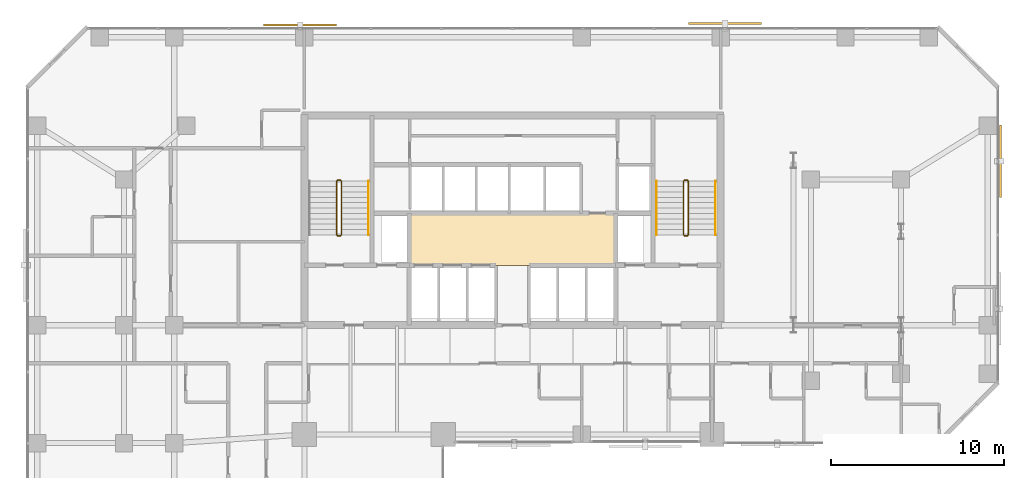
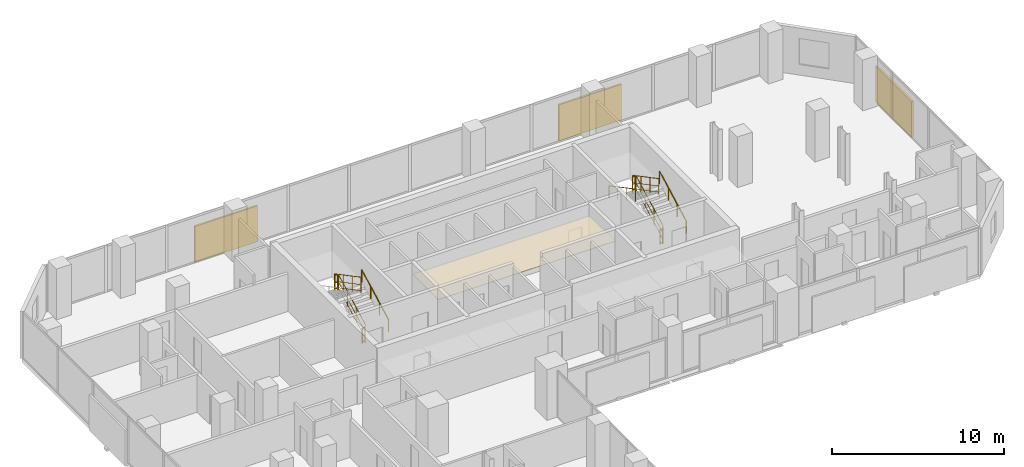
# One storey, part 32 of 32: 11 railings, 3 shading devices, 1 covering.
"""IFC4 building model written with IfcOpenShell, lengths in metres."""

from ifc_helpers import new_model, si_unit, direction, frame, origin, origin_2d, place, context, subcontext, project, spatial, polyline, rectangle, circle, outline, extrude, material, layer, layer_set, type_object, element, save


model = new_model("IFC4")

# Units and contexts
model_context = context("Model", 3, precision=1e-05, world=origin(), true_north=direction((0.0, 1.0)))
body_context = subcontext(model_context, "Body", "Model", "MODEL_VIEW")
ifc_project = project(units=[si_unit("LENGTHUNIT", "METRE"), si_unit("AREAUNIT", "SQUARE_METRE"), si_unit("VOLUMEUNIT", "CUBIC_METRE"), si_unit("PLANEANGLEUNIT", "RADIAN"), si_unit("MASSUNIT", "GRAM", prefix="KILO")], contexts=[model_context])

# Site, building, storey
site_placement = place(None, origin())
site = spatial("IfcSite", under=ifc_project, at=site_placement, CompositionType="ELEMENT")
building_placement = place(site_placement, origin())
building = spatial("IfcBuilding", under=site, at=building_placement, Name="Catumbela Crestline Tower", CompositionType="ELEMENT")
storey_placement = place(building_placement, frame((0.0, 0.0, 29.4)))
storey = spatial("IfcBuildingStorey", under=building, at=storey_placement, Name="L06", CompositionType="ELEMENT", Elevation=29.4)

# Covering
ifc_material_1 = material(Name="Mineral-fibre acoustic ceiling")
ifc_layer = layer(ifc_material_1, 0.03, Name="Mineral-fibre acoustic ceiling")
ifc_layer_set = layer_set([ifc_layer], Name="Mineral-fibre acoustic ceiling")
covering_type = type_object("IfcCoveringType", Name="CC-AC", PredefinedType="CEILING", material=ifc_layer_set)
covering_placement = place(storey_placement, frame((0.0, 0.0, 2.65)))
element("IfcCovering", 1, at=covering_placement, inside=storey, type_object=covering_type, Name="L06 Lift Lobby Acoustic Ceiling", PredefinedType="CEILING", context=body_context, shape_type="SweptSolid", body=[
    extrude(outline(polyline([(22.05, 34.25), (33.95, 34.25), (33.95, 37.25), (22.05, 37.25), (22.05, 34.25)])), origin(), (0.0, 0.0, 1.0), 0.03),
])

# Railings
ifc_material_2 = material(Name="Stainless steel EN 1.4401", Category="steel")
railing_type_1 = type_object("IfcRailingType", Name="RG-1100", PredefinedType="GUARDRAIL", material=ifc_material_2)
railing_1_placement = place(storey_placement, frame((18.14, 36.0, 0.1636)))
element("IfcRailing", 2, at=railing_1_placement, inside=storey, type_object=railing_type_1, Name="L06 ST-01 stair guard 1", PredefinedType="GUARDRAIL", context=body_context, shape_type="SweptSolid", body=[
    extrude(circle(Radius=0.024, at=origin_2d()), frame((0.0, 0.0, 1.076), z_axis=(0.0, 0.884350731049, 0.466823076222), x_axis=(-1.0, 0.0, 0.0)), (0.0, 0.0, 1.0), 3.5054),
    extrude(circle(Radius=0.0156, at=origin_2d()), frame((0.0, 0.0, 0.55), z_axis=(0.0, 0.884350731049, 0.466823076222), x_axis=(-1.0, 0.0, 0.0)), (0.0, 0.0, 1.0), 3.5054),
    extrude(circle(Radius=0.0156, at=origin_2d()), frame((0.0, 0.0, 0.12), z_axis=(0.0, 0.884350731049, 0.466823076222), x_axis=(-1.0, 0.0, 0.0)), (0.0, 0.0, 1.0), 3.5054),
    extrude(circle(Radius=0.021, at=origin_2d()), origin(), (0.0, 0.0, 1.0), 1.052),
    extrude(circle(Radius=0.021, at=origin_2d()), frame((0.0, 1.0333, 0.5455)), (0.0, 0.0, 1.0), 1.052),
    extrude(circle(Radius=0.021, at=origin_2d()), frame((0.0, 2.0667, 1.0909)), (0.0, 0.0, 1.0), 1.052),
    extrude(circle(Radius=0.021, at=origin_2d()), frame((0.0, 3.1, 1.6364)), (0.0, 0.0, 1.0), 1.052),
])
railing_2_placement = place(storey_placement, frame((18.09, 39.15, 1.8)))
element("IfcRailing", 3, at=railing_2_placement, inside=storey, type_object=railing_type_1, Name="L06 ST-01 stair guard 2", PredefinedType="GUARDRAIL", context=body_context, shape_type="SweptSolid", body=[
    extrude(circle(Radius=0.024, at=origin_2d()), frame((0.0, 0.0, 1.076), z_axis=(-1.0, 0.0, 0.0), x_axis=(0.0, -1.0, 0.0)), (0.0, 0.0, 1.0), 0.18),
    extrude(circle(Radius=0.0156, at=origin_2d()), frame((0.0, 0.0, 0.55), z_axis=(-1.0, 0.0, 0.0), x_axis=(0.0, -1.0, 0.0)), (0.0, 0.0, 1.0), 0.18),
    extrude(circle(Radius=0.0156, at=origin_2d()), frame((0.0, 0.0, 0.12), z_axis=(-1.0, 0.0, 0.0), x_axis=(0.0, -1.0, 0.0)), (0.0, 0.0, 1.0), 0.18),
    extrude(circle(Radius=0.021, at=origin_2d()), origin(), (0.0, 0.0, 1.0), 1.052),
    extrude(circle(Radius=0.021, at=origin_2d()), frame((-0.18, 0.0, 0.0)), (0.0, 0.0, 1.0), 1.052),
])
railing_3_placement = place(storey_placement, frame((17.86, 39.1, 1.9636)))
element("IfcRailing", 4, at=railing_3_placement, inside=storey, type_object=railing_type_1, Name="L06 ST-01 stair guard 3", PredefinedType="GUARDRAIL", context=body_context, shape_type="SweptSolid", body=[
    extrude(circle(Radius=0.024, at=origin_2d()), frame((0.0, 0.0, 1.076), z_axis=(0.0, -0.884350731049, 0.466823076222), x_axis=(1.0, 0.0, 0.0)), (0.0, 0.0, 1.0), 3.5054),
    extrude(circle(Radius=0.0156, at=origin_2d()), frame((0.0, 0.0, 0.55), z_axis=(0.0, -0.884350731049, 0.466823076222), x_axis=(1.0, 0.0, 0.0)), (0.0, 0.0, 1.0), 3.5054),
    extrude(circle(Radius=0.0156, at=origin_2d()), frame((0.0, 0.0, 0.12), z_axis=(0.0, -0.884350731049, 0.466823076222), x_axis=(1.0, 0.0, 0.0)), (0.0, 0.0, 1.0), 3.5054),
    extrude(circle(Radius=0.021, at=origin_2d()), origin(), (0.0, 0.0, 1.0), 1.052),
    extrude(circle(Radius=0.021, at=origin_2d()), frame((0.0, -1.0333, 0.5455)), (0.0, 0.0, 1.0), 1.052),
    extrude(circle(Radius=0.021, at=origin_2d()), frame((0.0, -2.0667, 1.0909)), (0.0, 0.0, 1.0), 1.052),
    extrude(circle(Radius=0.021, at=origin_2d()), frame((0.0, -3.1, 1.6364)), (0.0, 0.0, 1.0), 1.052),
])
railing_4_placement = place(storey_placement, frame((18.09, 35.95, 0.0)))
element("IfcRailing", 5, at=railing_4_placement, inside=storey, type_object=railing_type_1, Name="L06 ST-01 stair guard 4", PredefinedType="GUARDRAIL", context=body_context, shape_type="SweptSolid", body=[
    extrude(circle(Radius=0.024, at=origin_2d()), frame((0.0, 0.0, 1.076), z_axis=(-1.0, 0.0, 0.0), x_axis=(0.0, -1.0, 0.0)), (0.0, 0.0, 1.0), 0.18),
    extrude(circle(Radius=0.0156, at=origin_2d()), frame((0.0, 0.0, 0.55), z_axis=(-1.0, 0.0, 0.0), x_axis=(0.0, -1.0, 0.0)), (0.0, 0.0, 1.0), 0.18),
    extrude(circle(Radius=0.0156, at=origin_2d()), frame((0.0, 0.0, 0.12), z_axis=(-1.0, 0.0, 0.0), x_axis=(0.0, -1.0, 0.0)), (0.0, 0.0, 1.0), 0.18),
    extrude(circle(Radius=0.021, at=origin_2d()), origin(), (0.0, 0.0, 1.0), 1.052),
    extrude(circle(Radius=0.021, at=origin_2d()), frame((-0.18, 0.0, 0.0)), (0.0, 0.0, 1.0), 1.052),
])
railing_5_placement = place(storey_placement, frame((38.14, 36.0, 0.1636)))
element("IfcRailing", 6, at=railing_5_placement, inside=storey, type_object=railing_type_1, Name="L06 ST-02 stair guard 1", PredefinedType="GUARDRAIL", context=body_context, shape_type="SweptSolid", body=[
    extrude(circle(Radius=0.024, at=origin_2d()), frame((0.0, 0.0, 1.076), z_axis=(0.0, 0.884350731049, 0.466823076222), x_axis=(-1.0, 0.0, 0.0)), (0.0, 0.0, 1.0), 3.5054),
    extrude(circle(Radius=0.0156, at=origin_2d()), frame((0.0, 0.0, 0.55), z_axis=(0.0, 0.884350731049, 0.466823076222), x_axis=(-1.0, 0.0, 0.0)), (0.0, 0.0, 1.0), 3.5054),
    extrude(circle(Radius=0.0156, at=origin_2d()), frame((0.0, 0.0, 0.12), z_axis=(0.0, 0.884350731049, 0.466823076222), x_axis=(-1.0, 0.0, 0.0)), (0.0, 0.0, 1.0), 3.5054),
    extrude(circle(Radius=0.021, at=origin_2d()), origin(), (0.0, 0.0, 1.0), 1.052),
    extrude(circle(Radius=0.021, at=origin_2d()), frame((0.0, 1.0333, 0.5455)), (0.0, 0.0, 1.0), 1.052),
    extrude(circle(Radius=0.021, at=origin_2d()), frame((0.0, 2.0667, 1.0909)), (0.0, 0.0, 1.0), 1.052),
    extrude(circle(Radius=0.021, at=origin_2d()), frame((0.0, 3.1, 1.6364)), (0.0, 0.0, 1.0), 1.052),
])
railing_6_placement = place(storey_placement, frame((38.09, 39.15, 1.8)))
element("IfcRailing", 7, at=railing_6_placement, inside=storey, type_object=railing_type_1, Name="L06 ST-02 stair guard 2", PredefinedType="GUARDRAIL", context=body_context, shape_type="SweptSolid", body=[
    extrude(circle(Radius=0.024, at=origin_2d()), frame((0.0, 0.0, 1.076), z_axis=(-1.0, 0.0, 0.0), x_axis=(0.0, -1.0, 0.0)), (0.0, 0.0, 1.0), 0.18),
    extrude(circle(Radius=0.0156, at=origin_2d()), frame((0.0, 0.0, 0.55), z_axis=(-1.0, 0.0, 0.0), x_axis=(0.0, -1.0, 0.0)), (0.0, 0.0, 1.0), 0.18),
    extrude(circle(Radius=0.0156, at=origin_2d()), frame((0.0, 0.0, 0.12), z_axis=(-1.0, 0.0, 0.0), x_axis=(0.0, -1.0, 0.0)), (0.0, 0.0, 1.0), 0.18),
    extrude(circle(Radius=0.021, at=origin_2d()), origin(), (0.0, 0.0, 1.0), 1.052),
    extrude(circle(Radius=0.021, at=origin_2d()), frame((-0.18, 0.0, 0.0)), (0.0, 0.0, 1.0), 1.052),
])
railing_7_placement = place(storey_placement, frame((37.86, 39.1, 1.9636)))
element("IfcRailing", 8, at=railing_7_placement, inside=storey, type_object=railing_type_1, Name="L06 ST-02 stair guard 3", PredefinedType="GUARDRAIL", context=body_context, shape_type="SweptSolid", body=[
    extrude(circle(Radius=0.024, at=origin_2d()), frame((0.0, 0.0, 1.076), z_axis=(0.0, -0.884350731049, 0.466823076222), x_axis=(1.0, 0.0, 0.0)), (0.0, 0.0, 1.0), 3.5054),
    extrude(circle(Radius=0.0156, at=origin_2d()), frame((0.0, 0.0, 0.55), z_axis=(0.0, -0.884350731049, 0.466823076222), x_axis=(1.0, 0.0, 0.0)), (0.0, 0.0, 1.0), 3.5054),
    extrude(circle(Radius=0.0156, at=origin_2d()), frame((0.0, 0.0, 0.12), z_axis=(0.0, -0.884350731049, 0.466823076222), x_axis=(1.0, 0.0, 0.0)), (0.0, 0.0, 1.0), 3.5054),
    extrude(circle(Radius=0.021, at=origin_2d()), origin(), (0.0, 0.0, 1.0), 1.052),
    extrude(circle(Radius=0.021, at=origin_2d()), frame((0.0, -1.0333, 0.5455)), (0.0, 0.0, 1.0), 1.052),
    extrude(circle(Radius=0.021, at=origin_2d()), frame((0.0, -2.0667, 1.0909)), (0.0, 0.0, 1.0), 1.052),
    extrude(circle(Radius=0.021, at=origin_2d()), frame((0.0, -3.1, 1.6364)), (0.0, 0.0, 1.0), 1.052),
])
railing_8_placement = place(storey_placement, frame((38.09, 35.95, 0.0)))
element("IfcRailing", 9, at=railing_8_placement, inside=storey, type_object=railing_type_1, Name="L06 ST-02 stair guard 4", PredefinedType="GUARDRAIL", context=body_context, shape_type="SweptSolid", body=[
    extrude(circle(Radius=0.024, at=origin_2d()), frame((0.0, 0.0, 1.076), z_axis=(-1.0, 0.0, 0.0), x_axis=(0.0, -1.0, 0.0)), (0.0, 0.0, 1.0), 0.18),
    extrude(circle(Radius=0.0156, at=origin_2d()), frame((0.0, 0.0, 0.55), z_axis=(-1.0, 0.0, 0.0), x_axis=(0.0, -1.0, 0.0)), (0.0, 0.0, 1.0), 0.18),
    extrude(circle(Radius=0.0156, at=origin_2d()), frame((0.0, 0.0, 0.12), z_axis=(-1.0, 0.0, 0.0), x_axis=(0.0, -1.0, 0.0)), (0.0, 0.0, 1.0), 0.18),
    extrude(circle(Radius=0.021, at=origin_2d()), origin(), (0.0, 0.0, 1.0), 1.052),
    extrude(circle(Radius=0.021, at=origin_2d()), frame((-0.18, 0.0, 0.0)), (0.0, 0.0, 1.0), 1.052),
])
railing_type_2 = type_object("IfcRailingType", Name="RH-0900", PredefinedType="HANDRAIL", material=ifc_material_2)
for number, where, name in (
    (10, (19.7, 36.0, 0.1636), "L06 ST-01 stair handrail 1"),
    (11, (39.7, 36.0, 0.1636), "L06 ST-02 stair handrail 1"),
):
    element("IfcRailing", number, at=place(storey_placement, frame(where)), inside=storey, type_object=railing_type_2, Name=name, PredefinedType="HANDRAIL", context=body_context, shape_type="SweptSolid", body=[
        extrude(circle(Radius=0.024, at=origin_2d()), frame((0.0, 0.0, 0.876), z_axis=(0.0, 0.884350731049, 0.466823076222), x_axis=(-1.0, 0.0, 0.0)), (0.0, 0.0, 1.0), 3.5054),
        extrude(circle(Radius=0.021, at=origin_2d()), origin(), (0.0, 0.0, 1.0), 0.852),
        extrude(circle(Radius=0.021, at=origin_2d()), frame((0.0, 1.0333, 0.5455)), (0.0, 0.0, 1.0), 0.852),
        extrude(circle(Radius=0.021, at=origin_2d()), frame((0.0, 2.0667, 1.0909)), (0.0, 0.0, 1.0), 0.852),
        extrude(circle(Radius=0.021, at=origin_2d()), frame((0.0, 3.1, 1.6364)), (0.0, 0.0, 1.0), 0.852),
    ])
railing_9_placement = place(storey_placement, frame((36.3, 39.1, 1.9636)))
element("IfcRailing", 12, at=railing_9_placement, inside=storey, type_object=railing_type_2, Name="L06 ST-02 stair handrail 2", PredefinedType="HANDRAIL", context=body_context, shape_type="SweptSolid", body=[
    extrude(circle(Radius=0.024, at=origin_2d()), frame((0.0, 0.0, 0.876), z_axis=(0.0, -0.884350731049, 0.466823076222), x_axis=(1.0, 0.0, 0.0)), (0.0, 0.0, 1.0), 3.5054),
    extrude(circle(Radius=0.021, at=origin_2d()), origin(), (0.0, 0.0, 1.0), 0.852),
    extrude(circle(Radius=0.021, at=origin_2d()), frame((0.0, -1.0333, 0.5455)), (0.0, 0.0, 1.0), 0.852),
    extrude(circle(Radius=0.021, at=origin_2d()), frame((0.0, -2.0667, 1.0909)), (0.0, 0.0, 1.0), 0.852),
    extrude(circle(Radius=0.021, at=origin_2d()), frame((0.0, -3.1, 1.6364)), (0.0, 0.0, 1.0), 0.852),
])

# Shading devices
ifc_material_3 = material(Name="Extruded terracotta ceramic", Category="masonry")
shading_device_type_1 = type_object("IfcShadingDeviceType", Name="ST-180", PredefinedType="USERDEFINED", material=ifc_material_3)
shading_device_1_placement = place(storey_placement, frame((15.75, 48.099, -0.1), z_axis=(0.0, 0.0, 1.0), x_axis=(-1.0, 0.0, 0.0)))
element("IfcShadingDevice", 13, at=shading_device_1_placement, inside=storey, type_object=shading_device_type_1, Name="L06 Perforated Terracotta Solar Screen 26 (180 mm)", ObjectType="SCREEN", PredefinedType="USERDEFINED", context=body_context, shape_type="SweptSolid", body=[
    extrude(rectangle(XDim=4.2, YDim=0.12, at=origin_2d()), origin(), (0.0, 0.0, 1.0), 2.55),
])
shading_device_type_2 = type_object("IfcShadingDeviceType", Name="ST-260", PredefinedType="USERDEFINED", material=ifc_material_3)
shading_device_2_placement = place(storey_placement, frame((56.143, 40.25, -0.1), z_axis=(0.0, 0.0, 1.0), x_axis=(0.0, 1.0, 0.0)))
element("IfcShadingDevice", 14, at=shading_device_2_placement, inside=storey, type_object=shading_device_type_2, Name="L06 Perforated Terracotta Solar Screen 24 (260 mm)", ObjectType="SCREEN", PredefinedType="USERDEFINED", context=body_context, shape_type="SweptSolid", body=[
    extrude(rectangle(XDim=4.2, YDim=0.12, at=origin_2d()), origin(), (0.0, 0.0, 1.0), 2.55),
])
shading_device_type_3 = type_object("IfcShadingDeviceType", Name="ST-340", PredefinedType="USERDEFINED", material=ifc_material_3)
shading_device_3_placement = place(storey_placement, frame((40.25, 48.187, -0.1), z_axis=(0.0, 0.0, 1.0), x_axis=(-1.0, 0.0, 0.0)))
element("IfcShadingDevice", 15, at=shading_device_3_placement, inside=storey, type_object=shading_device_type_3, Name="L06 Perforated Terracotta Solar Screen 25 (340 mm)", ObjectType="SCREEN", PredefinedType="USERDEFINED", context=body_context, shape_type="SweptSolid", body=[
    extrude(rectangle(XDim=4.2, YDim=0.12, at=origin_2d()), origin(), (0.0, 0.0, 1.0), 2.55),
])

save(model, "model.ifc")
